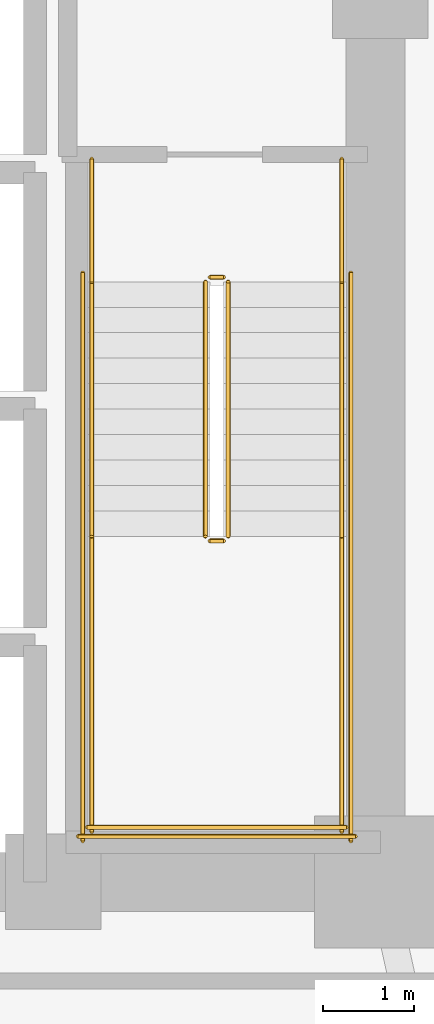
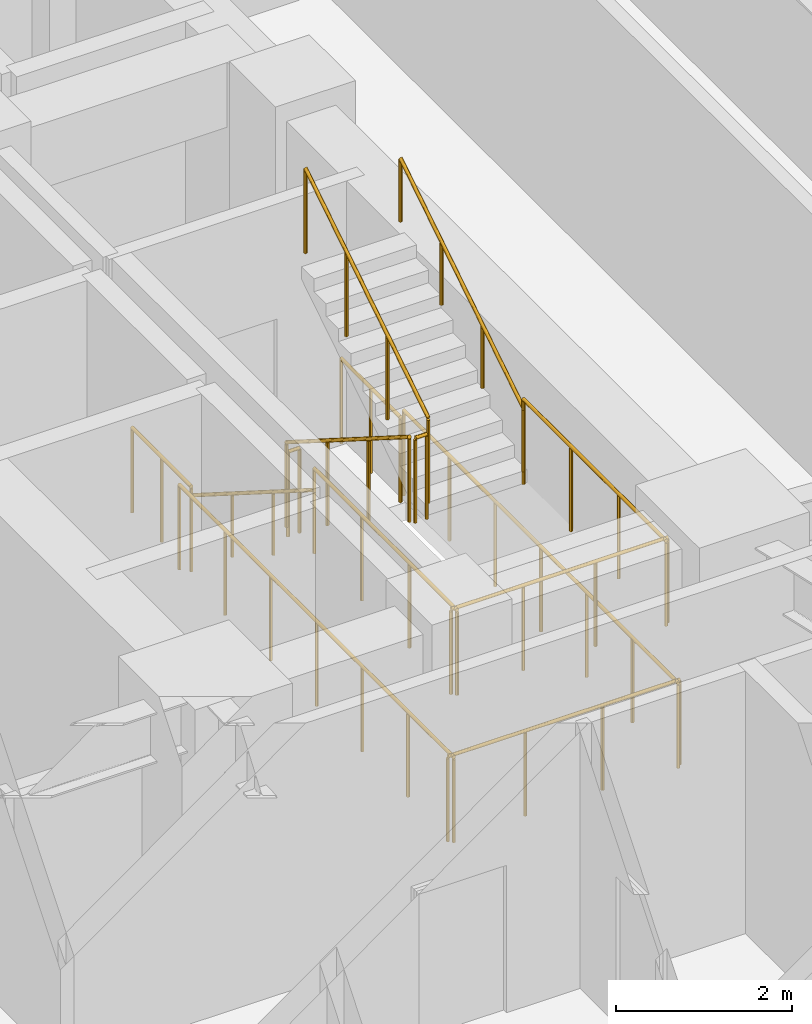
# One storey, part 11 of 11: 14 railings.
"""IFC4 building model written with IfcOpenShell, lengths in metres."""

from ifc_helpers import new_model, si_unit, direction, frame, origin, origin_2d, place, context, subcontext, project, spatial, circle, extrude, material, type_object, element, save


model = new_model("IFC4")

# Units and contexts
model_context = context("Model", 3, precision=1e-05, world=origin(), true_north=direction((0.0, 1.0)))
body_context = subcontext(model_context, "Body", "Model", "MODEL_VIEW")
ifc_project = project(units=[si_unit("LENGTHUNIT", "METRE"), si_unit("AREAUNIT", "SQUARE_METRE"), si_unit("VOLUMEUNIT", "CUBIC_METRE"), si_unit("PLANEANGLEUNIT", "RADIAN"), si_unit("MASSUNIT", "GRAM", prefix="KILO")], contexts=[model_context])

# Site, building, storey
site_placement = place(None, origin())
site = spatial("IfcSite", under=ifc_project, at=site_placement, CompositionType="ELEMENT")
building_placement = place(site_placement, origin())
building = spatial("IfcBuilding", under=site, at=building_placement, Name="Voryun Gate Residences", CompositionType="ELEMENT")
storey_placement = place(building_placement, frame((0.0, 0.0, 68.89990234375)))
storey = spatial("IfcBuildingStorey", under=building, at=storey_placement, Name="L16", CompositionType="ELEMENT", Elevation=68.89990234375)

# Railings
ifc_material_1 = material(Name="Painted steel", Category="steel")
railing_type_1 = type_object("IfcRailingType", Name="RAIL_STAIR_GUARD_1200", PredefinedType="GUARDRAIL", material=ifc_material_1)
railing_1_placement = place(storey_placement, frame((17.27490234375, -0.800048828125, 0.177490234375)))
element("IfcRailing", 1, at=railing_1_placement, inside=storey, type_object=railing_type_1, Name="L16 ST-E1 stair guard 1", PredefinedType="GUARDRAIL", context=body_context, shape_type="SweptSolid", body=[
    extrude(circle(Radius=0.02392578125, at=origin_2d()), frame((0.0, 0.0, 1.17578125), z_axis=(0.0, -0.844908973607, 0.534910110503), x_axis=(1.0, 0.0, 0.0)), (0.0, 0.0, 1.0), 3.31396484375),
    extrude(circle(Radius=0.02099609375, at=origin_2d()), origin(), (0.0, 0.0, 1.0), 1.15185546875),
    extrude(circle(Radius=0.02099609375, at=origin_2d()), frame((0.0, -0.933349609375, 0.5908203125)), (0.0, 0.0, 1.0), 1.15185546875),
    extrude(circle(Radius=0.02099609375, at=origin_2d()), frame((0.0, -1.86669921875, 1.181884765625)), (0.0, 0.0, 1.0), 1.15185546875),
    extrude(circle(Radius=0.02099609375, at=origin_2d()), frame((0.0, -2.800048828125, 1.772705078125)), (0.0, 0.0, 1.0), 1.15185546875),
])
railing_2_placement = place(storey_placement, frame((17.324951171875, -3.64990234375, 1.9501953125)))
element("IfcRailing", 2, at=railing_2_placement, inside=storey, type_object=railing_type_1, Name="L16 ST-E1 stair guard 2", PredefinedType="GUARDRAIL", context=body_context, shape_type="SweptSolid", body=[
    extrude(circle(Radius=0.02392578125, at=origin_2d()), frame((0.0, 0.0, 1.17578125), z_axis=(1.0, 0.0, 0.0), x_axis=(0.0, 1.0, 0.0)), (0.0, 0.0, 1.0), 0.150146484375),
    extrude(circle(Radius=0.02099609375, at=origin_2d()), origin(), (0.0, 0.0, 1.0), 1.15185546875),
    extrude(circle(Radius=0.02099609375, at=origin_2d()), frame((0.150146484375, 0.0, 0.0)), (0.0, 0.0, 1.0), 1.15185546875),
])
for number, where, name in (
    (3, (16.02490234375, -3.60009765625, 1.9501953125), "L16 ST-E1 stair guard 3"),
    (4, (18.77490234375, -3.60009765625, 1.9501953125), "L16 ST-E1 stair guard 4"),
):
    element("IfcRailing", number, at=place(storey_placement, frame(where)), inside=storey, type_object=railing_type_1, Name=name, PredefinedType="GUARDRAIL", context=body_context, shape_type="SweptSolid", body=[
        extrude(circle(Radius=0.02392578125, at=origin_2d()), frame((0.0, 0.0, 1.17578125), z_axis=(0.0, -1.0, 0.0), x_axis=(1.0, 0.0, 0.0)), (0.0, 0.0, 1.0), 3.25),
        extrude(circle(Radius=0.02099609375, at=origin_2d()), origin(), (0.0, 0.0, 1.0), 1.15185546875),
        extrude(circle(Radius=0.02099609375, at=origin_2d()), frame((0.0, -1.083251953125, 0.0)), (0.0, 0.0, 1.0), 1.15185546875),
        extrude(circle(Radius=0.02099609375, at=origin_2d()), frame((0.0, -2.166748046875, 0.0)), (0.0, 0.0, 1.0), 1.15185546875),
        extrude(circle(Radius=0.02099609375, at=origin_2d()), frame((0.0, -3.25, 0.0)), (0.0, 0.0, 1.0), 1.15185546875),
    ])
railing_3_placement = place(storey_placement, frame((15.97509765625, -6.800048828125, 1.9501953125)))
element("IfcRailing", 5, at=railing_3_placement, inside=storey, type_object=railing_type_1, Name="L16 ST-E1 stair guard 5", PredefinedType="GUARDRAIL", context=body_context, shape_type="SweptSolid", body=[
    extrude(circle(Radius=0.02392578125, at=origin_2d()), frame((0.0, 0.0, 1.17578125), z_axis=(1.0, 0.0, 0.0), x_axis=(0.0, 1.0, 0.0)), (0.0, 0.0, 1.0), 2.849853515625),
    extrude(circle(Radius=0.02099609375, at=origin_2d()), origin(), (0.0, 0.0, 1.0), 1.15185546875),
    extrude(circle(Radius=0.02099609375, at=origin_2d()), frame((0.949951171875, 0.0, 0.0)), (0.0, 0.0, 1.0), 1.15185546875),
    extrude(circle(Radius=0.02099609375, at=origin_2d()), frame((1.89990234375, 0.0, 0.0)), (0.0, 0.0, 1.0), 1.15185546875),
    extrude(circle(Radius=0.02099609375, at=origin_2d()), frame((2.849853515625, 0.0, 0.0)), (0.0, 0.0, 1.0), 1.15185546875),
])
railing_4_placement = place(storey_placement, frame((17.52490234375, -3.60009765625, 2.12744140625)))
element("IfcRailing", 6, at=railing_4_placement, inside=storey, type_object=railing_type_1, Name="L16 ST-E1 stair guard 6", PredefinedType="GUARDRAIL", context=body_context, shape_type="SweptSolid", body=[
    extrude(circle(Radius=0.02392578125, at=origin_2d()), frame((0.0, 0.0, 1.17578125), z_axis=(0.0, 0.844908973607, 0.534910110503), x_axis=(-1.0, 0.0, 0.0)), (0.0, 0.0, 1.0), 3.31396484375),
    extrude(circle(Radius=0.02099609375, at=origin_2d()), origin(), (0.0, 0.0, 1.0), 1.15185546875),
    extrude(circle(Radius=0.02099609375, at=origin_2d()), frame((0.0, 0.933349609375, 0.5908203125)), (0.0, 0.0, 1.0), 1.15185546875),
    extrude(circle(Radius=0.02099609375, at=origin_2d()), frame((0.0, 1.86669921875, 1.181884765625)), (0.0, 0.0, 1.0), 1.15185546875),
    extrude(circle(Radius=0.02099609375, at=origin_2d()), frame((0.0, 2.800048828125, 1.772705078125)), (0.0, 0.0, 1.0), 1.15185546875),
])
railing_5_placement = place(storey_placement, frame((17.324951171875, -0.75, 0.0)))
element("IfcRailing", 7, at=railing_5_placement, inside=storey, type_object=railing_type_1, Name="L16 ST-E1 stair guard 7", PredefinedType="GUARDRAIL", context=body_context, shape_type="SweptSolid", body=[
    extrude(circle(Radius=0.02392578125, at=origin_2d()), frame((0.0, 0.0, 1.17578125), z_axis=(1.0, 0.0, 0.0), x_axis=(0.0, 1.0, 0.0)), (0.0, 0.0, 1.0), 0.150146484375),
    extrude(circle(Radius=0.02099609375, at=origin_2d()), origin(), (0.0, 0.0, 1.0), 1.15185546875),
    extrude(circle(Radius=0.02099609375, at=origin_2d()), frame((0.150146484375, 0.0, 0.0)), (0.0, 0.0, 1.0), 1.15185546875),
])
for number, where, name in (
    (8, (16.02490234375, 0.550048828125, 0.0), "L16 ST-E1 stair guard 8"),
    (9, (18.77490234375, 0.550048828125, 0.0), "L16 ST-E1 stair guard 9"),
):
    element("IfcRailing", number, at=place(storey_placement, frame(where)), inside=storey, type_object=railing_type_1, Name=name, PredefinedType="GUARDRAIL", context=body_context, shape_type="SweptSolid", body=[
        extrude(circle(Radius=0.02392578125, at=origin_2d()), frame((0.0, 0.0, 1.17578125), z_axis=(0.0, -1.0, 0.0), x_axis=(1.0, 0.0, 0.0)), (0.0, 0.0, 1.0), 1.35009765625),
        extrude(circle(Radius=0.02099609375, at=origin_2d()), origin(), (0.0, 0.0, 1.0), 1.15185546875),
        extrude(circle(Radius=0.02099609375, at=origin_2d()), frame((0.0, -0.675048828125, 0.0)), (0.0, 0.0, 1.0), 1.15185546875),
        extrude(circle(Radius=0.02099609375, at=origin_2d()), frame((0.0, -1.35009765625, 0.0)), (0.0, 0.0, 1.0), 1.15185546875),
    ])
for number, where, name in (
    (10, (15.925048828125, -0.699951171875, 0.0), "L16 ST-E1 stair guard 10"),
    (11, (18.875, -0.699951171875, 0.0), "L16 ST-E1 stair guard 11"),
):
    element("IfcRailing", number, at=place(storey_placement, frame(where)), inside=storey, type_object=railing_type_1, Name=name, PredefinedType="GUARDRAIL", context=body_context, shape_type="SweptSolid", body=[
        extrude(circle(Radius=0.02392578125, at=origin_2d()), frame((0.0, 0.0, 1.17578125), z_axis=(0.0, -1.0, 0.0), x_axis=(1.0, 0.0, 0.0)), (0.0, 0.0, 1.0), 6.25),
        extrude(circle(Radius=0.02099609375, at=origin_2d()), origin(), (0.0, 0.0, 1.0), 1.15185546875),
        extrude(circle(Radius=0.02099609375, at=origin_2d()), frame((0.0, -1.041748046875, 0.0)), (0.0, 0.0, 1.0), 1.15185546875),
        extrude(circle(Radius=0.02099609375, at=origin_2d()), frame((0.0, -2.083251953125, 0.0)), (0.0, 0.0, 1.0), 1.15185546875),
        extrude(circle(Radius=0.02099609375, at=origin_2d()), frame((0.0, -3.125, 0.0)), (0.0, 0.0, 1.0), 1.15185546875),
        extrude(circle(Radius=0.02099609375, at=origin_2d()), frame((0.0, -4.166748046875, 0.0)), (0.0, 0.0, 1.0), 1.15185546875),
        extrude(circle(Radius=0.02099609375, at=origin_2d()), frame((0.0, -5.208251953125, 0.0)), (0.0, 0.0, 1.0), 1.15185546875),
        extrude(circle(Radius=0.02099609375, at=origin_2d()), frame((0.0, -6.25, 0.0)), (0.0, 0.0, 1.0), 1.15185546875),
    ])
railing_6_placement = place(storey_placement, frame((15.875, -6.89990234375, 0.0)))
element("IfcRailing", 12, at=railing_6_placement, inside=storey, type_object=railing_type_1, Name="L16 ST-E1 stair guard 12", PredefinedType="GUARDRAIL", context=body_context, shape_type="SweptSolid", body=[
    extrude(circle(Radius=0.02392578125, at=origin_2d()), frame((0.0, 0.0, 1.17578125), z_axis=(1.0, 0.0, 0.0), x_axis=(0.0, 1.0, 0.0)), (0.0, 0.0, 1.0), 3.050048828125),
    extrude(circle(Radius=0.02099609375, at=origin_2d()), origin(), (0.0, 0.0, 1.0), 1.15185546875),
    extrude(circle(Radius=0.02099609375, at=origin_2d()), frame((1.0166015625, 0.0, 0.0)), (0.0, 0.0, 1.0), 1.15185546875),
    extrude(circle(Radius=0.02099609375, at=origin_2d()), frame((2.033447265625, 0.0, 0.0)), (0.0, 0.0, 1.0), 1.15185546875),
    extrude(circle(Radius=0.02099609375, at=origin_2d()), frame((3.050048828125, 0.0, 0.0)), (0.0, 0.0, 1.0), 1.15185546875),
])
ifc_material_2 = material(Name="Painted steel", Category="steel")
railing_type_2 = type_object("IfcRailingType", Name="RAIL_STAIR_HANDRAIL_900", PredefinedType="HANDRAIL", material=ifc_material_2)
railing_7_placement = place(storey_placement, frame((16.02490234375, -0.800048828125, 0.177490234375)))
element("IfcRailing", 13, at=railing_7_placement, inside=storey, type_object=railing_type_2, Name="L16 ST-E1 stair handrail 1", PredefinedType="HANDRAIL", context=body_context, shape_type="SweptSolid", body=[
    extrude(circle(Radius=0.02392578125, at=origin_2d()), frame((0.0, 0.0, 0.8759765625), z_axis=(0.0, -0.844908973607, 0.534910110503), x_axis=(1.0, 0.0, 0.0)), (0.0, 0.0, 1.0), 3.31396484375),
    extrude(circle(Radius=0.02099609375, at=origin_2d()), origin(), (0.0, 0.0, 1.0), 0.851806640625),
    extrude(circle(Radius=0.02099609375, at=origin_2d()), frame((0.0, -0.933349609375, 0.5908203125)), (0.0, 0.0, 1.0), 0.851806640625),
    extrude(circle(Radius=0.02099609375, at=origin_2d()), frame((0.0, -1.86669921875, 1.181884765625)), (0.0, 0.0, 1.0), 0.851806640625),
    extrude(circle(Radius=0.02099609375, at=origin_2d()), frame((0.0, -2.800048828125, 1.772705078125)), (0.0, 0.0, 1.0), 0.851806640625),
])
railing_8_placement = place(storey_placement, frame((18.77490234375, -3.60009765625, 2.12744140625)))
element("IfcRailing", 14, at=railing_8_placement, inside=storey, type_object=railing_type_2, Name="L16 ST-E1 stair handrail 2", PredefinedType="HANDRAIL", context=body_context, shape_type="SweptSolid", body=[
    extrude(circle(Radius=0.02392578125, at=origin_2d()), frame((0.0, 0.0, 0.8759765625), z_axis=(0.0, 0.844908973607, 0.534910110503), x_axis=(-1.0, 0.0, 0.0)), (0.0, 0.0, 1.0), 3.31396484375),
    extrude(circle(Radius=0.02099609375, at=origin_2d()), origin(), (0.0, 0.0, 1.0), 0.851806640625),
    extrude(circle(Radius=0.02099609375, at=origin_2d()), frame((0.0, 0.933349609375, 0.5908203125)), (0.0, 0.0, 1.0), 0.851806640625),
    extrude(circle(Radius=0.02099609375, at=origin_2d()), frame((0.0, 1.86669921875, 1.181884765625)), (0.0, 0.0, 1.0), 0.851806640625),
    extrude(circle(Radius=0.02099609375, at=origin_2d()), frame((0.0, 2.800048828125, 1.772705078125)), (0.0, 0.0, 1.0), 0.851806640625),
])

save(model, "model.ifc")
